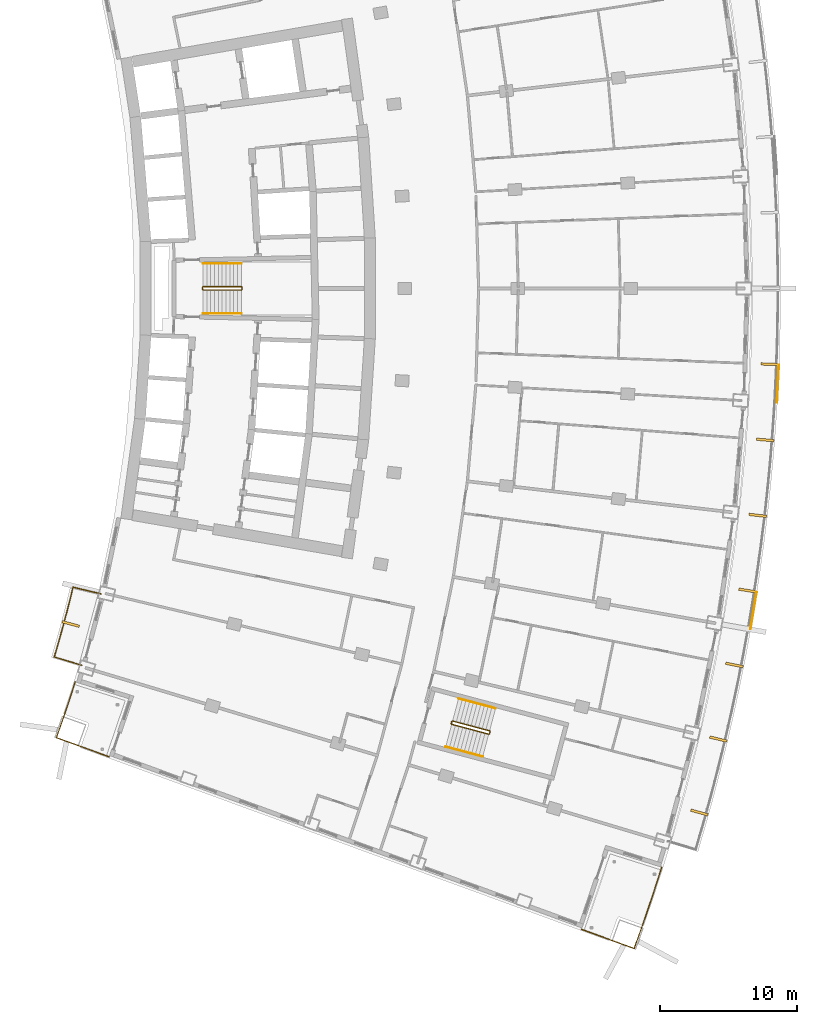
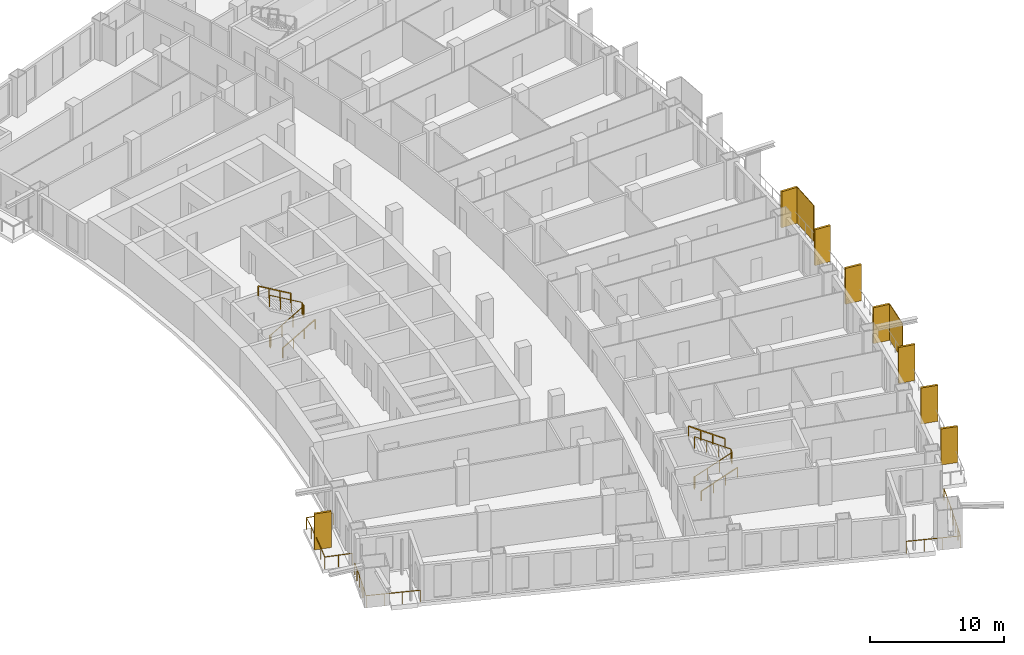
# One storey, part 23 of 25: 10 shading devices, 9 railings.
"""IFC4 building model written with IfcOpenShell, lengths in metres."""

from ifc_helpers import new_model, si_unit, direction, frame, origin, origin_with_axes, origin_2d, place, context, subcontext, project, spatial, rectangle, extrude, material, layer, layer_set, type_object, element, save


model = new_model("IFC4")

# Units and contexts
model_context = context("Model", 3, precision=1e-05, world=origin(), true_north=direction((0.0, 1.0)))
body_context = subcontext(model_context, "Body", "Model", "MODEL_VIEW")
ifc_project = project(units=[si_unit("LENGTHUNIT", "METRE"), si_unit("AREAUNIT", "SQUARE_METRE"), si_unit("VOLUMEUNIT", "CUBIC_METRE"), si_unit("PLANEANGLEUNIT", "RADIAN"), si_unit("MASSUNIT", "GRAM", prefix="KILO")], contexts=[model_context])

# Site, building, storey
site_placement = place(None, origin())
site = spatial("IfcSite", under=ifc_project, at=site_placement, CompositionType="ELEMENT")
building_placement = place(site_placement, origin())
building = spatial("IfcBuilding", under=site, at=building_placement, Name="Alderwake Tower", CompositionType="ELEMENT")
storey_placement = place(building_placement, frame((0.0, 0.0, 122.0)))
storey = spatial("IfcBuildingStorey", under=building, at=storey_placement, Name="L30", CompositionType="ELEMENT", Elevation=122.0)

# Railings
ifc_material_1 = material(Name="Stainless steel 316 rail and posts", Category="steel")
railing_type_1 = type_object("IfcRailingType", Name="Balcony guard 1100", PredefinedType="GUARDRAIL", material=ifc_material_1)
railing_1_placement = place(storey_placement, frame((12.16650390625, 33.435791015625, 0.0)))
element("IfcRailing", 1, at=railing_1_placement, inside=storey, type_object=railing_type_1, Name="Guard BR02", PredefinedType="GUARDRAIL", context=body_context, shape_type="SweptSolid", body=[
    extrude(rectangle(XDim=0.048095703125, YDim=0.048095703125, at=origin_2d()), frame((0.0, 0.0, 1.076171875), z_axis=(-0.958091458885, 0.286462486918, 0.0), x_axis=(-0.286462486918, -0.958091458885, 0.0)), (0.0, 0.0, 1.0), 2.099853515625),
    extrude(rectangle(XDim=0.048095703125, YDim=0.048095703125, at=origin_2d()), frame((-2.011962890625, 0.6015625, 1.076171875), z_axis=(0.279963157487, 0.960010744966, 0.0), x_axis=(-0.960010744966, 0.279963157487, 0.0)), (0.0, 0.0, 1.0), 1.272216796875),
    extrude(rectangle(XDim=0.048095703125, YDim=0.048095703125, at=origin_2d()), frame((-1.65576171875, 1.822998046875, 1.076171875), z_axis=(0.266487604617, 0.963838345671, 0.0), x_axis=(-0.963838345671, 0.266487604617, 0.0)), (0.0, 0.0, 1.0), 1.372314453125),
    extrude(rectangle(XDim=0.048095703125, YDim=0.048095703125, at=origin_2d()), frame((-1.2900390625, 3.145751953125, 1.076171875), z_axis=(0.252487086228, 0.967600264204, 0.0), x_axis=(-0.967600264204, 0.252487086228, 0.0)), (0.0, 0.0, 1.0), 1.3720703125),
    extrude(rectangle(XDim=0.048095703125, YDim=0.048095703125, at=origin_2d()), frame((-0.943603515625, 4.473388671875, 1.076171875), z_axis=(0.238877101641, 0.971049808358, 0.0), x_axis=(-0.971049808358, 0.238877101641, 0.0)), (0.0, 0.0, 1.0), 1.2724609375),
    extrude(rectangle(XDim=0.048095703125, YDim=0.048095703125, at=origin_2d()), frame((-0.6396484375, 5.708984375, 1.076171875), z_axis=(0.972646310656, -0.232291098337, 0.0), x_axis=(0.232291098337, 0.972646310656, 0.0)), (0.0, 0.0, 1.0), 2.099853515625),
    extrude(rectangle(XDim=0.0419921875, YDim=0.0419921875, at=origin_2d()), frame((0.0, 0.0, 0.0), z_axis=(0.0, 0.0, 1.0), x_axis=(-0.958091458885, 0.286462486918, 0.0)), (0.0, 0.0, 1.0), 1.052001953125),
    extrude(rectangle(XDim=0.0419921875, YDim=0.0419921875, at=origin_2d()), frame((-1.005859375, 0.30078125, 0.0), z_axis=(0.0, 0.0, 1.0), x_axis=(-0.958091458885, 0.286462486918, 0.0)), (0.0, 0.0, 1.0), 1.052001953125),
    extrude(rectangle(XDim=0.0419921875, YDim=0.0419921875, at=origin_2d()), frame((-2.011962890625, 0.6015625, 0.0), z_axis=(0.0, 0.0, 1.0), x_axis=(0.279963157487, 0.960010744966, 0.0)), (0.0, 0.0, 1.0), 1.052001953125),
    extrude(rectangle(XDim=0.0419921875, YDim=0.0419921875, at=origin_2d()), frame((-1.65576171875, 1.822998046875, 0.0), z_axis=(0.0, 0.0, 1.0), x_axis=(0.266487604617, 0.963838345671, 0.0)), (0.0, 0.0, 1.0), 1.052001953125),
    extrude(rectangle(XDim=0.0419921875, YDim=0.0419921875, at=origin_2d()), frame((-1.2900390625, 3.145751953125, 0.0), z_axis=(0.0, 0.0, 1.0), x_axis=(0.252487086228, 0.967600264204, 0.0)), (0.0, 0.0, 1.0), 1.052001953125),
    extrude(rectangle(XDim=0.0419921875, YDim=0.0419921875, at=origin_2d()), frame((-0.943603515625, 4.473388671875, 0.0), z_axis=(0.0, 0.0, 1.0), x_axis=(0.238877101641, 0.971049808358, 0.0)), (0.0, 0.0, 1.0), 1.052001953125),
    extrude(rectangle(XDim=0.0419921875, YDim=0.0419921875, at=origin_2d()), frame((-0.6396484375, 5.708984375, 0.0), z_axis=(0.0, 0.0, 1.0), x_axis=(0.972646310656, -0.232291098337, 0.0)), (0.0, 0.0, 1.0), 1.052001953125),
    extrude(rectangle(XDim=0.0419921875, YDim=0.0419921875, at=origin_2d()), frame((0.381591796875, 5.465087890625, 0.0), z_axis=(0.0, 0.0, 1.0), x_axis=(0.972646310656, -0.232291098337, 0.0)), (0.0, 0.0, 1.0), 1.052001953125),
    extrude(rectangle(XDim=0.0419921875, YDim=0.0419921875, at=origin_2d()), frame((1.40283203125, 5.22119140625, 0.0), z_axis=(0.0, 0.0, 1.0), x_axis=(0.972646310656, -0.232291098337, 0.0)), (0.0, 0.0, 1.0), 1.052001953125),
])
railing_2_placement = place(storey_placement, frame((54.594970703125, 18.651123046875, 0.0)))
element("IfcRailing", 2, at=railing_2_placement, inside=storey, type_object=railing_type_1, Name="Guard terrace FS", PredefinedType="GUARDRAIL", context=body_context, shape_type="SweptSolid", body=[
    extrude(rectangle(XDim=0.048095703125, YDim=0.048095703125, at=origin_2d()), frame((0.0, 0.0, 1.076171875), z_axis=(-0.307779974329, -0.951457559433, 0.0), x_axis=(0.951457559433, -0.307779974329, 0.0)), (0.0, 0.0, 1.0), 2.257568359375),
    extrude(rectangle(XDim=0.048095703125, YDim=0.048095703125, at=origin_2d()), frame((-0.69482421875, -2.14794921875, 1.076171875), z_axis=(-0.322236651578, -0.946659146884, 0.0), x_axis=(0.946659146884, -0.322236651578, 0.0)), (0.0, 0.0, 1.0), 2.057861328125),
    extrude(rectangle(XDim=0.048095703125, YDim=0.048095703125, at=origin_2d()), frame((-1.35791015625, -4.095947265625, 1.076171875), z_axis=(-0.335838646603, -0.941919531302, 0.0), x_axis=(0.941919531302, -0.335838646603, 0.0)), (0.0, 0.0, 1.0), 1.957763671875),
    extrude(rectangle(XDim=0.048095703125, YDim=0.048095703125, at=origin_2d()), frame((-2.015380859375, -5.93994140625, 1.076171875), z_axis=(-0.939617696184, 0.342225926863, 0.0), x_axis=(-0.342225926863, -0.939617696184, 0.0)), (0.0, 0.0, 1.0), 4.099853515625),
    extrude(rectangle(XDim=0.0419921875, YDim=0.0419921875, at=origin_2d()), frame((0.0, 0.0, 0.0), z_axis=(0.0, 0.0, 1.0), x_axis=(-0.307779974329, -0.951457559433, 0.0)), (0.0, 0.0, 1.0), 1.052001953125),
    extrude(rectangle(XDim=0.0419921875, YDim=0.0419921875, at=origin_2d()), frame((-0.347412109375, -1.073974609375, 0.0), z_axis=(0.0, 0.0, 1.0), x_axis=(-0.307779974329, -0.951457559433, 0.0)), (0.0, 0.0, 1.0), 1.052001953125),
    extrude(rectangle(XDim=0.0419921875, YDim=0.0419921875, at=origin_2d()), frame((-0.69482421875, -2.14794921875, 0.0), z_axis=(0.0, 0.0, 1.0), x_axis=(-0.322236651578, -0.946659146884, 0.0)), (0.0, 0.0, 1.0), 1.052001953125),
    extrude(rectangle(XDim=0.0419921875, YDim=0.0419921875, at=origin_2d()), frame((-1.0263671875, -3.1220703125, 0.0), z_axis=(0.0, 0.0, 1.0), x_axis=(-0.322236651578, -0.946659146884, 0.0)), (0.0, 0.0, 1.0), 1.052001953125),
    extrude(rectangle(XDim=0.0419921875, YDim=0.0419921875, at=origin_2d()), frame((-1.35791015625, -4.095947265625, 0.0), z_axis=(0.0, 0.0, 1.0), x_axis=(-0.335838646603, -0.941919531302, 0.0)), (0.0, 0.0, 1.0), 1.052001953125),
    extrude(rectangle(XDim=0.0419921875, YDim=0.0419921875, at=origin_2d()), frame((-1.6865234375, -5.01806640625, 0.0), z_axis=(0.0, 0.0, 1.0), x_axis=(-0.335838646603, -0.941919531302, 0.0)), (0.0, 0.0, 1.0), 1.052001953125),
    extrude(rectangle(XDim=0.0419921875, YDim=0.0419921875, at=origin_2d()), frame((-2.015380859375, -5.93994140625, 0.0), z_axis=(0.0, 0.0, 1.0), x_axis=(-0.939617696184, 0.342225926863, 0.0)), (0.0, 0.0, 1.0), 1.052001953125),
    extrude(rectangle(XDim=0.0419921875, YDim=0.0419921875, at=origin_2d()), frame((-3.299560546875, -5.47216796875, 0.0), z_axis=(0.0, 0.0, 1.0), x_axis=(-0.939617696184, 0.342225926863, 0.0)), (0.0, 0.0, 1.0), 1.052001953125),
    extrude(rectangle(XDim=0.0419921875, YDim=0.0419921875, at=origin_2d()), frame((-4.58349609375, -5.004638671875, 0.0), z_axis=(0.0, 0.0, 1.0), x_axis=(-0.939617696184, 0.342225926863, 0.0)), (0.0, 0.0, 1.0), 1.052001953125),
    extrude(rectangle(XDim=0.0419921875, YDim=0.0419921875, at=origin_2d()), frame((-5.86767578125, -4.536865234375, 0.0), z_axis=(0.0, 0.0, 1.0), x_axis=(-0.939617696184, 0.342225926863, 0.0)), (0.0, 0.0, 1.0), 1.052001953125),
])
railing_3_placement = place(storey_placement, frame((11.688720703125, 32.218017578125, 0.0)))
element("IfcRailing", 3, at=railing_3_placement, inside=storey, type_object=railing_type_1, Name="Guard terrace RS", PredefinedType="GUARDRAIL", context=body_context, shape_type="SweptSolid", body=[
    extrude(rectangle(XDim=0.048095703125, YDim=0.048095703125, at=origin_2d()), frame((0.0, 0.0, 1.076171875), z_axis=(-0.307479326145, -0.951554761426, 0.0), x_axis=(0.951554761426, -0.307479326145, 0.0)), (0.0, 0.0, 1.0), 1.6015625),
    extrude(rectangle(XDim=0.048095703125, YDim=0.048095703125, at=origin_2d()), frame((-0.492431640625, -1.52392578125, 1.076171875), z_axis=(-0.322283727344, -0.946643121292, 0.0), x_axis=(0.946643121292, -0.322283727344, 0.0)), (0.0, 0.0, 1.0), 1.4013671875),
    extrude(rectangle(XDim=0.048095703125, YDim=0.048095703125, at=origin_2d()), frame((-0.944091796875, -2.8505859375, 1.076171875), z_axis=(-0.335468607403, -0.942051385778, 0.0), x_axis=(0.942051385778, -0.335468607403, 0.0)), (0.0, 0.0, 1.0), 1.30126953125),
    extrude(rectangle(XDim=0.048095703125, YDim=0.048095703125, at=origin_2d()), frame((-1.380615234375, -4.076416015625, 1.076171875), z_axis=(0.939708203232, -0.341977327873, 0.0), x_axis=(0.341977327873, 0.939708203232, 0.0)), (0.0, 0.0, 1.0), 4.10009765625),
    extrude(rectangle(XDim=0.0419921875, YDim=0.0419921875, at=origin_2d()), frame((0.0, 0.0, 0.0), z_axis=(0.0, 0.0, 1.0), x_axis=(-0.307479326145, -0.951554761426, 0.0)), (0.0, 0.0, 1.0), 1.052001953125),
    extrude(rectangle(XDim=0.0419921875, YDim=0.0419921875, at=origin_2d()), frame((-0.24609375, -0.761962890625, 0.0), z_axis=(0.0, 0.0, 1.0), x_axis=(-0.307479326145, -0.951554761426, 0.0)), (0.0, 0.0, 1.0), 1.052001953125),
    extrude(rectangle(XDim=0.0419921875, YDim=0.0419921875, at=origin_2d()), frame((-0.492431640625, -1.52392578125, 0.0), z_axis=(0.0, 0.0, 1.0), x_axis=(-0.322283727344, -0.946643121292, 0.0)), (0.0, 0.0, 1.0), 1.052001953125),
    extrude(rectangle(XDim=0.0419921875, YDim=0.0419921875, at=origin_2d()), frame((-0.71826171875, -2.187255859375, 0.0), z_axis=(0.0, 0.0, 1.0), x_axis=(-0.322283727344, -0.946643121292, 0.0)), (0.0, 0.0, 1.0), 1.052001953125),
    extrude(rectangle(XDim=0.0419921875, YDim=0.0419921875, at=origin_2d()), frame((-0.944091796875, -2.8505859375, 0.0), z_axis=(0.0, 0.0, 1.0), x_axis=(-0.335468607403, -0.942051385778, 0.0)), (0.0, 0.0, 1.0), 1.052001953125),
    extrude(rectangle(XDim=0.0419921875, YDim=0.0419921875, at=origin_2d()), frame((-1.380615234375, -4.076416015625, 0.0), z_axis=(0.0, 0.0, 1.0), x_axis=(0.939708203232, -0.341977327873, 0.0)), (0.0, 0.0, 1.0), 1.052001953125),
    extrude(rectangle(XDim=0.0419921875, YDim=0.0419921875, at=origin_2d()), frame((-0.096435546875, -4.543701171875, 0.0), z_axis=(0.0, 0.0, 1.0), x_axis=(0.939708203232, -0.341977327873, 0.0)), (0.0, 0.0, 1.0), 1.052001953125),
    extrude(rectangle(XDim=0.0419921875, YDim=0.0419921875, at=origin_2d()), frame((1.18798828125, -5.01123046875, 0.0), z_axis=(0.0, 0.0, 1.0), x_axis=(0.939708203232, -0.341977327873, 0.0)), (0.0, 0.0, 1.0), 1.052001953125),
    extrude(rectangle(XDim=0.0419921875, YDim=0.0419921875, at=origin_2d()), frame((2.47216796875, -5.478515625, 0.0), z_axis=(0.0, 0.0, 1.0), x_axis=(0.939708203232, -0.341977327873, 0.0)), (0.0, 0.0, 1.0), 1.052001953125),
])

# Shading devices
ifc_material_2 = material(Name="Bronze anodised aluminium", Category="aluminium")
ifc_layer_1 = layer(ifc_material_2, 0.179931640625)
ifc_layer_set_1 = layer_set([ifc_layer_1], Name="Facade fin 1300")
shading_device_type_1 = type_object("IfcShadingDeviceType", Name="Facade fin 1300", PredefinedType="USERDEFINED", material=ifc_layer_set_1)
for number, where, z_axis, x_axis, name in (
    (4, (57.349609375, 22.661865234375, 0.0), (0.0, 0.0, 1.0), (0.96318180783, -0.268850897459, 0.0), "Fin"),
    (5, (58.73681640625, 28.032470703125, 0.0), (0.0, 0.0, 1.0), (0.972908790564, -0.231189284448, 0.0), "Fin"),
    (6, (59.9140625, 33.452880859375, 0.0), (0.0, 0.0, 1.0), (0.981163751315, -0.193177879441, 0.0), "Fin"),
    (7, (60.877197265625, 38.90087890625, 0.0), (0.0, 0.0, 1.0), (0.987918787879, -0.154972476771, 0.0), "Fin"),
    (8, (61.630126953125, 44.396240234375, 0.0), (0.0, 0.0, 1.0), (0.993198315083, -0.116434990084, 0.0), "Fin"),
    (9, (62.168701171875, 49.9169921875, 0.0), (0.0, 0.0, 1.0), (0.996975122026, -0.077721335943, 0.0), "Fin"),
    (10, (62.4921875, 55.454345703125, 0.0), (0.0, 0.0, 1.0), (0.999243494356, -0.038890088543, 0.0), "Fin"),
    (11, (11.359375, 36.45166015625, 0.0), (0.0, 0.0, 1.0), (0.965744448231, -0.259495010957, 0.0), "Fin"),
):
    element("IfcShadingDevice", number, at=place(storey_placement, frame(where, z_axis=z_axis, x_axis=x_axis)), inside=storey, type_object=shading_device_type_1, Name=name, ObjectType="FIN", PredefinedType="USERDEFINED", context=body_context, shape_type="SweptSolid", body=[
        extrude(rectangle(XDim=1.300048828125, YDim=0.179931640625, at=origin_2d()), origin(), (0.0, 0.0, 1.0), 3.280029296875),
    ])
ifc_material_3 = material(Name="Perforated bronze anodised aluminium", Category="aluminium")
ifc_layer_2 = layer(ifc_material_3, 0.050048828125)
ifc_layer_set_2 = layer_set([ifc_layer_2], Name="Perforated screen panel")
shading_device_type_2 = type_object("IfcShadingDeviceType", Name="Perforated screen panel", PredefinedType="USERDEFINED", material=ifc_layer_set_2)
for number, where, z_axis, x_axis, name in (
    (12, (61.3154296875, 37.425537109375, 0.0), (0.0, 0.0, 1.0), (0.986369013299, -0.164548380739, 0.0), "Screen panel"),
    (13, (63.09912109375, 54.039794921875, 0.0), (0.0, 0.0, 1.0), (0.998819231138, -0.048581308217, 0.0), "Screen panel"),
):
    element("IfcShadingDevice", number, at=place(storey_placement, frame(where, z_axis=z_axis, x_axis=x_axis)), inside=storey, type_object=shading_device_type_2, Name=name, ObjectType="SCREEN", PredefinedType="USERDEFINED", context=body_context, shape_type="SweptSolid", body=[
        extrude(rectangle(XDim=0.050048828125, YDim=2.779541015625, at=origin_2d()), origin(), (0.0, 0.0, 1.0), 3.280029296875),
    ])

# Railings
ifc_material_4 = material(Name="Stainless steel guard", Category="steel")
railing_type_2 = type_object("IfcRailingType", Name="Stair guard 1100", PredefinedType="GUARDRAIL", material=ifc_material_4)
railing_4_placement = place(storey_placement, frame((20.989990234375, 60.925048828125, 0.0)))
element("IfcRailing", 14, at=railing_4_placement, inside=storey, type_object=railing_type_2, Name="L30 ST-B stair guard 1", PredefinedType="GUARDRAIL", context=body_context, shape_type="SweptSolid", body=[
    extrude(rectangle(XDim=0.048095703125, YDim=0.048095703125, at=origin_2d()), frame((0.0, 0.0, 1.076171875), z_axis=(0.0, 1.0, 0.0), x_axis=(-1.0, 0.0, 0.0)), (0.0, 0.0, 1.0), 0.14990234375),
    extrude(rectangle(XDim=0.048095703125, YDim=0.048095703125, at=origin_2d()), frame((0.0, 0.14990234375, 1.076171875), z_axis=(0.190199549216, -0.759870394187, 0.621627795), x_axis=(0.970072785993, 0.242814311512, 0.0)), (0.0, 0.0, 1.0), 0.26318359375),
    extrude(rectangle(XDim=0.048095703125, YDim=0.048095703125, at=origin_2d()), frame((0.050048828125, -0.050048828125, 1.23974609375), z_axis=(0.863360870873, 0.0, 0.504586966384), x_axis=(0.0, 1.0, 0.0)), (0.0, 0.0, 1.0), 3.2431640625),
    extrude(rectangle(XDim=0.048095703125, YDim=0.048095703125, at=origin_2d()), frame((2.85009765625, -0.050048828125, 2.8759765625), z_axis=(0.705375805398, 0.708833529934, 0.0), x_axis=(-0.708833529934, 0.705375805398, 0.0)), (0.0, 0.0, 1.0), 0.070556640625),
    extrude(rectangle(XDim=0.048095703125, YDim=0.048095703125, at=origin_2d()), frame((2.89990234375, 0.0, 2.8759765625), z_axis=(0.0, 1.0, 0.0), x_axis=(-1.0, 0.0, 0.0)), (0.0, 0.0, 1.0), 0.14990234375),
    extrude(rectangle(XDim=0.048095703125, YDim=0.048095703125, at=origin_2d()), frame((2.89990234375, 0.14990234375, 2.8759765625), z_axis=(-0.279546231943, 0.280916556609, 0.91811752648), x_axis=(-0.708833529934, -0.705375805398, 0.0)), (0.0, 0.0, 1.0), 0.17822265625),
    extrude(rectangle(XDim=0.048095703125, YDim=0.048095703125, at=origin_2d()), frame((2.85009765625, 0.199951171875, 3.03955078125), z_axis=(-0.863360870873, 0.0, 0.504586966384), x_axis=(0.0, -1.0, 0.0)), (0.0, 0.0, 1.0), 3.2431640625),
    extrude(rectangle(XDim=0.0419921875, YDim=0.0419921875, at=origin_2d()), frame((0.0, 0.0, 0.0), z_axis=(0.0, 0.0, 1.0), x_axis=(0.0, 1.0, 0.0)), (0.0, 0.0, 1.0), 1.052001953125),
    extrude(rectangle(XDim=0.0419921875, YDim=0.0419921875, at=origin_2d()), frame((0.0, 0.14990234375, 0.0), z_axis=(0.0, 0.0, 1.0), x_axis=(0.242814311512, -0.970072785993, 0.0)), (0.0, 0.0, 1.0), 1.052001953125),
    extrude(rectangle(XDim=0.0419921875, YDim=0.0419921875, at=origin_2d()), frame((0.050048828125, -0.050048828125, 0.16357421875), z_axis=(0.0, 0.0, 1.0), x_axis=(1.0, 0.0, 0.0)), (0.0, 0.0, 1.0), 1.052001953125),
    extrude(rectangle(XDim=0.0419921875, YDim=0.0419921875, at=origin_2d()), frame((0.9833984375, -0.050048828125, 0.708984375), z_axis=(0.0, 0.0, 1.0), x_axis=(1.0, 0.0, 0.0)), (0.0, 0.0, 1.0), 1.052001953125),
    extrude(rectangle(XDim=0.0419921875, YDim=0.0419921875, at=origin_2d()), frame((1.916748046875, -0.050048828125, 1.254638671875), z_axis=(0.0, 0.0, 1.0), x_axis=(1.0, 0.0, 0.0)), (0.0, 0.0, 1.0), 1.052001953125),
    extrude(rectangle(XDim=0.0419921875, YDim=0.0419921875, at=origin_2d()), frame((2.85009765625, -0.050048828125, 1.800048828125), z_axis=(0.0, 0.0, 1.0), x_axis=(0.705375805398, 0.708833529934, 0.0)), (0.0, 0.0, 1.0), 1.052001953125),
    extrude(rectangle(XDim=0.0419921875, YDim=0.0419921875, at=origin_2d()), frame((2.89990234375, 0.0, 1.800048828125), z_axis=(0.0, 0.0, 1.0), x_axis=(0.0, 1.0, 0.0)), (0.0, 0.0, 1.0), 1.052001953125),
    extrude(rectangle(XDim=0.0419921875, YDim=0.0419921875, at=origin_2d()), frame((2.89990234375, 0.14990234375, 1.800048828125), z_axis=(0.0, 0.0, 1.0), x_axis=(-0.705375805398, 0.708833529934, 0.0)), (0.0, 0.0, 1.0), 1.052001953125),
    extrude(rectangle(XDim=0.0419921875, YDim=0.0419921875, at=origin_2d()), frame((2.85009765625, 0.199951171875, 1.963623046875), z_axis=(0.0, 0.0, 1.0), x_axis=(-1.0, 0.0, 0.0)), (0.0, 0.0, 1.0), 1.052001953125),
    extrude(rectangle(XDim=0.0419921875, YDim=0.0419921875, at=origin_2d()), frame((1.916748046875, 0.199951171875, 2.509033203125), z_axis=(0.0, 0.0, 1.0), x_axis=(-1.0, 0.0, 0.0)), (0.0, 0.0, 1.0), 1.052001953125),
    extrude(rectangle(XDim=0.0419921875, YDim=0.0419921875, at=origin_2d()), frame((0.9833984375, 0.199951171875, 3.0546875), z_axis=(0.0, 0.0, 1.0), x_axis=(-1.0, 0.0, 0.0)), (0.0, 0.0, 1.0), 1.052001953125),
    extrude(rectangle(XDim=0.0419921875, YDim=0.0419921875, at=origin_2d()), frame((0.050048828125, 0.199951171875, 3.60009765625), z_axis=(0.0, 0.0, 1.0), x_axis=(-1.0, 0.0, 0.0)), (0.0, 0.0, 1.0), 1.052001953125),
])
railing_5_placement = place(storey_placement, frame((39.1943359375, 29.17431640625, 0.0)))
element("IfcRailing", 15, at=railing_5_placement, inside=storey, type_object=railing_type_2, Name="L30 ST-C stair guard 1", PredefinedType="GUARDRAIL", context=body_context, shape_type="SweptSolid", body=[
    extrude(rectangle(XDim=0.048095703125, YDim=0.048095703125, at=origin_2d()), frame((0.0, 0.0, 1.076171875), z_axis=(0.257459803502, 0.966289009345, 0.0), x_axis=(-0.966289009345, 0.257459803502, 0.0)), (0.0, 0.0, 1.0), 0.14990234375),
    extrude(rectangle(XDim=0.048095703125, YDim=0.048095703125, at=origin_2d()), frame((0.03857421875, 0.144775390625, 1.076171875), z_axis=(-0.012062893862, -0.783160186125, 0.621702991355), x_axis=(0.999881397308, -0.015401016783, 0.0)), (0.0, 0.0, 1.0), 0.26318359375),
    extrude(rectangle(XDim=0.048095703125, YDim=0.048095703125, at=origin_2d()), frame((0.035400390625, -0.061279296875, 1.23974609375), z_axis=(0.834281824786, -0.222214197128, 0.504573768072), x_axis=(0.257380452725, 0.966310148221, 0.0)), (0.0, 0.0, 1.0), 3.2431640625),
    extrude(rectangle(XDim=0.048095703125, YDim=0.048095703125, at=origin_2d()), frame((2.7412109375, -0.781982421875, 2.8759765625), z_axis=(0.865031189262, 0.501718089772, 0.0), x_axis=(-0.501718089772, 0.865031189262, 0.0)), (0.0, 0.0, 1.0), 0.070556640625),
    extrude(rectangle(XDim=0.048095703125, YDim=0.048095703125, at=origin_2d()), frame((2.80224609375, -0.74658203125, 2.8759765625), z_axis=(0.257055032184, 0.966396766566, 0.0), x_axis=(-0.966396766566, 0.257055032184, 0.0)), (0.0, 0.0, 1.0), 0.150146484375),
    extrude(rectangle(XDim=0.048095703125, YDim=0.048095703125, at=origin_2d()), frame((2.8408203125, -0.6015625, 2.8759765625), z_axis=(-0.198625291617, 0.343827228937, 0.91778583023), x_axis=(-0.865898279276, -0.500220121494, 0.0)), (0.0, 0.0, 1.0), 0.17822265625),
    extrude(rectangle(XDim=0.048095703125, YDim=0.048095703125, at=origin_2d()), frame((2.805419921875, -0.540283203125, 3.03955078125), z_axis=(-0.834258940753, 0.22222815314, 0.504605457487), x_axis=(-0.257402139082, -0.966304371715, 0.0)), (0.0, 0.0, 1.0), 3.2431640625),
    extrude(rectangle(XDim=0.0419921875, YDim=0.0419921875, at=origin_2d()), frame((0.0, 0.0, 0.0), z_axis=(0.0, 0.0, 1.0), x_axis=(0.257459803502, 0.966289009345, 0.0)), (0.0, 0.0, 1.0), 1.052001953125),
    extrude(rectangle(XDim=0.0419921875, YDim=0.0419921875, at=origin_2d()), frame((0.03857421875, 0.144775390625, 0.0), z_axis=(0.0, 0.0, 1.0), x_axis=(-0.015401016783, -0.999881397308, 0.0)), (0.0, 0.0, 1.0), 1.052001953125),
    extrude(rectangle(XDim=0.0419921875, YDim=0.0419921875, at=origin_2d()), frame((0.035400390625, -0.061279296875, 0.16357421875), z_axis=(0.0, 0.0, 1.0), x_axis=(0.966310148221, -0.257380452725, 0.0)), (0.0, 0.0, 1.0), 1.052001953125),
    extrude(rectangle(XDim=0.0419921875, YDim=0.0419921875, at=origin_2d()), frame((0.937255859375, -0.301513671875, 0.708984375), z_axis=(0.0, 0.0, 1.0), x_axis=(0.966310148221, -0.257380452725, 0.0)), (0.0, 0.0, 1.0), 1.052001953125),
    extrude(rectangle(XDim=0.0419921875, YDim=0.0419921875, at=origin_2d()), frame((1.83935546875, -0.541748046875, 1.254638671875), z_axis=(0.0, 0.0, 1.0), x_axis=(0.966310148221, -0.257380452725, 0.0)), (0.0, 0.0, 1.0), 1.052001953125),
    extrude(rectangle(XDim=0.0419921875, YDim=0.0419921875, at=origin_2d()), frame((2.7412109375, -0.781982421875, 1.800048828125), z_axis=(0.0, 0.0, 1.0), x_axis=(0.865031189262, 0.501718089772, 0.0)), (0.0, 0.0, 1.0), 1.052001953125),
    extrude(rectangle(XDim=0.0419921875, YDim=0.0419921875, at=origin_2d()), frame((2.80224609375, -0.74658203125, 1.800048828125), z_axis=(0.0, 0.0, 1.0), x_axis=(0.257055032184, 0.966396766566, 0.0)), (0.0, 0.0, 1.0), 1.052001953125),
    extrude(rectangle(XDim=0.0419921875, YDim=0.0419921875, at=origin_2d()), frame((2.8408203125, -0.6015625, 1.800048828125), z_axis=(0.0, 0.0, 1.0), x_axis=(-0.500220121494, 0.865898279276, 0.0)), (0.0, 0.0, 1.0), 1.052001953125),
    extrude(rectangle(XDim=0.0419921875, YDim=0.0419921875, at=origin_2d()), frame((2.805419921875, -0.540283203125, 1.963623046875), z_axis=(0.0, 0.0, 1.0), x_axis=(-0.966304371715, 0.257402139082, 0.0)), (0.0, 0.0, 1.0), 1.052001953125),
    extrude(rectangle(XDim=0.0419921875, YDim=0.0419921875, at=origin_2d()), frame((1.903564453125, -0.300048828125, 2.509033203125), z_axis=(0.0, 0.0, 1.0), x_axis=(-0.966304371715, 0.257402139082, 0.0)), (0.0, 0.0, 1.0), 1.052001953125),
    extrude(rectangle(XDim=0.0419921875, YDim=0.0419921875, at=origin_2d()), frame((1.001708984375, -0.059814453125, 3.0546875), z_axis=(0.0, 0.0, 1.0), x_axis=(-0.966304371715, 0.257402139082, 0.0)), (0.0, 0.0, 1.0), 1.052001953125),
    extrude(rectangle(XDim=0.0419921875, YDim=0.0419921875, at=origin_2d()), frame((0.099853515625, 0.180419921875, 3.60009765625), z_axis=(0.0, 0.0, 1.0), x_axis=(-0.966304371715, 0.257402139082, 0.0)), (0.0, 0.0, 1.0), 1.052001953125),
])
ifc_material_5 = material(Name="Stainless steel handrail", Category="steel")
railing_type_3 = type_object("IfcRailingType", Name="Stair handrail 900", PredefinedType="HANDRAIL", material=ifc_material_5)
railing_6_placement = place(storey_placement, frame((21.0400390625, 59.175048828125, 0.16357421875)))
element("IfcRailing", 16, at=railing_6_placement, inside=storey, type_object=railing_type_3, Name="L30 ST-B stair handrail 1", PredefinedType="HANDRAIL", context=body_context, shape_type="SweptSolid", body=[
    extrude(rectangle(XDim=0.048095703125, YDim=0.048095703125, at=origin_2d()), frame((0.0, 0.0, 0.8759765625), z_axis=(0.863360870873, 0.0, 0.504586966384), x_axis=(0.0, 1.0, 0.0)), (0.0, 0.0, 1.0), 3.2431640625),
    extrude(rectangle(XDim=0.0419921875, YDim=0.0419921875, at=origin_2d()), origin_with_axes(), (0.0, 0.0, 1.0), 0.851806640625),
    extrude(rectangle(XDim=0.0419921875, YDim=0.0419921875, at=origin_2d()), frame((0.933349609375, 0.0, 0.54541015625), z_axis=(0.0, 0.0, 1.0), x_axis=(1.0, 0.0, 0.0)), (0.0, 0.0, 1.0), 0.851806640625),
    extrude(rectangle(XDim=0.0419921875, YDim=0.0419921875, at=origin_2d()), frame((1.86669921875, 0.0, 1.091064453125), z_axis=(0.0, 0.0, 1.0), x_axis=(1.0, 0.0, 0.0)), (0.0, 0.0, 1.0), 0.851806640625),
    extrude(rectangle(XDim=0.0419921875, YDim=0.0419921875, at=origin_2d()), frame((2.800048828125, 0.0, 1.636474609375), z_axis=(0.0, 0.0, 1.0), x_axis=(1.0, 0.0, 0.0)), (0.0, 0.0, 1.0), 0.851806640625),
])
railing_7_placement = place(storey_placement, frame((23.840087890625, 62.824951171875, 1.963623046875)))
element("IfcRailing", 17, at=railing_7_placement, inside=storey, type_object=railing_type_3, Name="L30 ST-B stair handrail 2", PredefinedType="HANDRAIL", context=body_context, shape_type="SweptSolid", body=[
    extrude(rectangle(XDim=0.048095703125, YDim=0.048095703125, at=origin_2d()), frame((0.0, 0.0, 0.8759765625), z_axis=(-0.863360870873, 0.0, 0.504586966384), x_axis=(0.0, -1.0, 0.0)), (0.0, 0.0, 1.0), 3.2431640625),
    extrude(rectangle(XDim=0.0419921875, YDim=0.0419921875, at=origin_2d()), frame((0.0, 0.0, 0.0), z_axis=(0.0, 0.0, 1.0), x_axis=(-1.0, 0.0, 0.0)), (0.0, 0.0, 1.0), 0.851806640625),
    extrude(rectangle(XDim=0.0419921875, YDim=0.0419921875, at=origin_2d()), frame((-0.933349609375, 0.0, 0.54541015625), z_axis=(0.0, 0.0, 1.0), x_axis=(-1.0, 0.0, 0.0)), (0.0, 0.0, 1.0), 0.851806640625),
    extrude(rectangle(XDim=0.0419921875, YDim=0.0419921875, at=origin_2d()), frame((-1.86669921875, 0.0, 1.091064453125), z_axis=(0.0, 0.0, 1.0), x_axis=(-1.0, 0.0, 0.0)), (0.0, 0.0, 1.0), 0.851806640625),
    extrude(rectangle(XDim=0.0419921875, YDim=0.0419921875, at=origin_2d()), frame((-2.800048828125, 0.0, 1.636474609375), z_axis=(0.0, 0.0, 1.0), x_axis=(-1.0, 0.0, 0.0)), (0.0, 0.0, 1.0), 0.851806640625),
])
railing_8_placement = place(storey_placement, frame((38.792236328125, 27.47021484375, 0.16357421875)))
element("IfcRailing", 18, at=railing_8_placement, inside=storey, type_object=railing_type_3, Name="L30 ST-C stair handrail 1", PredefinedType="HANDRAIL", context=body_context, shape_type="SweptSolid", body=[
    extrude(rectangle(XDim=0.048095703125, YDim=0.048095703125, at=origin_2d()), frame((0.0, 0.0, 0.8759765625), z_axis=(0.834272895437, -0.222156588561, 0.504613898043), x_axis=(0.25732071773, 0.966326056891, 0.0)), (0.0, 0.0, 1.0), 3.242919921875),
    extrude(rectangle(XDim=0.0419921875, YDim=0.0419921875, at=origin_2d()), frame((0.0, 0.0, 0.0), z_axis=(0.0, 0.0, 1.0), x_axis=(0.966326056891, -0.25732071773, 0.0)), (0.0, 0.0, 1.0), 0.851806640625),
    extrude(rectangle(XDim=0.0419921875, YDim=0.0419921875, at=origin_2d()), frame((0.90185546875, -0.240234375, 0.54541015625), z_axis=(0.0, 0.0, 1.0), x_axis=(0.966326056891, -0.25732071773, 0.0)), (0.0, 0.0, 1.0), 0.851806640625),
    extrude(rectangle(XDim=0.0419921875, YDim=0.0419921875, at=origin_2d()), frame((1.8037109375, -0.480224609375, 1.091064453125), z_axis=(0.0, 0.0, 1.0), x_axis=(0.966326056891, -0.25732071773, 0.0)), (0.0, 0.0, 1.0), 0.851806640625),
    extrude(rectangle(XDim=0.0419921875, YDim=0.0419921875, at=origin_2d()), frame((2.70556640625, -0.720458984375, 1.636474609375), z_axis=(0.0, 0.0, 1.0), x_axis=(0.966326056891, -0.25732071773, 0.0)), (0.0, 0.0, 1.0), 0.851806640625),
])
railing_9_placement = place(storey_placement, frame((42.437255859375, 30.276611328125, 1.963623046875)))
element("IfcRailing", 19, at=railing_9_placement, inside=storey, type_object=railing_type_3, Name="L30 ST-C stair handrail 2", PredefinedType="HANDRAIL", context=body_context, shape_type="SweptSolid", body=[
    extrude(rectangle(XDim=0.048095703125, YDim=0.048095703125, at=origin_2d()), frame((0.0, 0.0, 0.8759765625), z_axis=(-0.834258940753, 0.22222815314, 0.504605457487), x_axis=(-0.257402139082, -0.966304371715, 0.0)), (0.0, 0.0, 1.0), 3.2431640625),
    extrude(rectangle(XDim=0.0419921875, YDim=0.0419921875, at=origin_2d()), frame((0.0, 0.0, 0.0), z_axis=(0.0, 0.0, 1.0), x_axis=(-0.966304371715, 0.257402139082, 0.0)), (0.0, 0.0, 1.0), 0.851806640625),
    extrude(rectangle(XDim=0.0419921875, YDim=0.0419921875, at=origin_2d()), frame((-0.90185546875, 0.240234375, 0.54541015625), z_axis=(0.0, 0.0, 1.0), x_axis=(-0.966304371715, 0.257402139082, 0.0)), (0.0, 0.0, 1.0), 0.851806640625),
    extrude(rectangle(XDim=0.0419921875, YDim=0.0419921875, at=origin_2d()), frame((-1.8037109375, 0.48046875, 1.091064453125), z_axis=(0.0, 0.0, 1.0), x_axis=(-0.966304371715, 0.257402139082, 0.0)), (0.0, 0.0, 1.0), 0.851806640625),
    extrude(rectangle(XDim=0.0419921875, YDim=0.0419921875, at=origin_2d()), frame((-2.70556640625, 0.720703125, 1.636474609375), z_axis=(0.0, 0.0, 1.0), x_axis=(-0.966304371715, 0.257402139082, 0.0)), (0.0, 0.0, 1.0), 0.851806640625),
])

save(model, "model.ifc")
